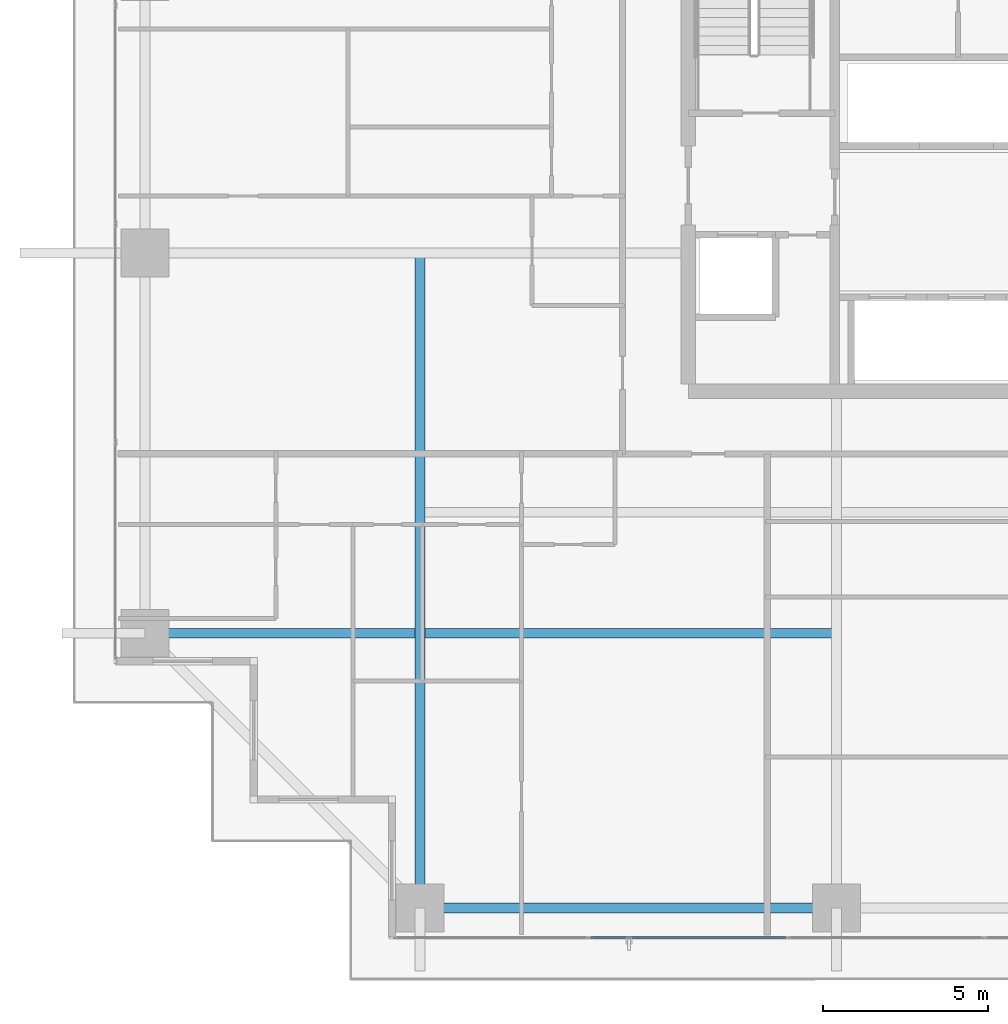
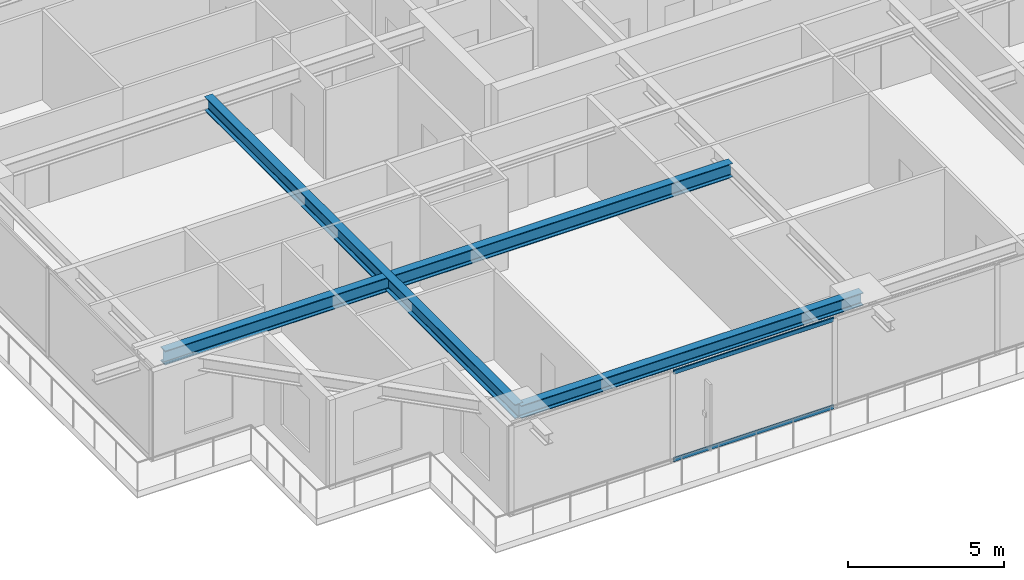
# One storey, part 4 of 38: 3 beams, 2 members, 1 element without a shape of its own.
"""IFC4 building model written with IfcOpenShell, lengths in metres."""

from ifc_helpers import new_model, si_unit, direction, frame, origin, origin_2d, place, context, subcontext, project, spatial, hollow_rectangle, i_section, extrude, source, transform, mapped, material, layer, layer_set, material_profile, profile_set, type_object, element, aggregate, save


model = new_model("IFC4")

# Units and contexts
model_context = context("Model", 3, precision=1e-05, world=origin(), true_north=direction((0.0, 1.0)))
body_context = subcontext(model_context, "Body", "Model", "MODEL_VIEW")
ifc_project = project(units=[si_unit("LENGTHUNIT", "METRE"), si_unit("AREAUNIT", "SQUARE_METRE"), si_unit("VOLUMEUNIT", "CUBIC_METRE"), si_unit("PLANEANGLEUNIT", "RADIAN"), si_unit("MASSUNIT", "GRAM", prefix="KILO")], contexts=[model_context])

# Site, building, storey
site_placement = place(None, origin())
site = spatial("IfcSite", under=ifc_project, at=site_placement, CompositionType="ELEMENT")
building_placement = place(site_placement, origin())
building = spatial("IfcBuilding", under=site, at=building_placement, Name="Serunith Strait Residences", CompositionType="ELEMENT")
storey_placement = place(building_placement, frame((0.0, 0.0, 52.949951171875)))
storey = spatial("IfcBuildingStorey", under=building, at=storey_placement, Name="L12", CompositionType="ELEMENT", Elevation=52.949951171875)

# Beams
ifc_material_1 = material(Name="Steel S355J2", Category="steel")
ifc_material_profile_1 = material_profile(ifc_material_1, i_section(OverallWidth=0.300048828125, OverallDepth=0.550048828125, WebThickness=0.014892578125, FlangeThickness=0.029052734375, FilletRadius=0.027099609375, at=origin_2d()), Name="HEB 550")
ifc_profile_set_1 = profile_set([ifc_material_profile_1], Name="Steel S355J2")
beam_type_1 = type_object("IfcBeamType", Name="BM-HEB550", PredefinedType="BEAM", material=ifc_profile_set_1)
shared_shape_1 = source(origin(), body_context, "Body", "SweptSolid", [
    extrude(i_section(OverallWidth=0.300048828125, OverallDepth=0.550048828125, WebThickness=0.014892578125, FlangeThickness=0.029052734375, FilletRadius=0.027099609375, at=origin_2d()), origin(), (0.0, 0.0, 1.0), 19.89990234375),
])
beam_1_placement = place(storey_placement, frame((15.25, 21.0, 3.212158203125), z_axis=(0.0, -1.0, 0.0), x_axis=(1.0, 0.0, 0.0)))
element("IfcBeam", 1, at=beam_1_placement, inside=storey, type_object=beam_type_1, Name="L12 Orthogonal Corner Girder TC-S1", PredefinedType="BEAM", context=body_context, shape_type="MappedRepresentation", body=[
    mapped(shared_shape_1, transform((0.0, 0.0, 0.0), scale=1.0)),
])
shared_shape_2 = source(origin(), body_context, "Body", "SweptSolid", [
    extrude(i_section(OverallWidth=0.300048828125, OverallDepth=0.550048828125, WebThickness=0.014892578125, FlangeThickness=0.029052734375, FilletRadius=0.027099609375, at=origin_2d()), origin(), (0.0, 0.0, 1.0), 21.0),
])
beam_2_placement = place(storey_placement, frame((27.89990234375, 9.449951171875, 3.212158203125), z_axis=(-1.0, 0.0, 0.0), x_axis=(0.0, -1.0, 0.0)))
element("IfcBeam", 2, at=beam_2_placement, inside=storey, type_object=beam_type_1, Name="L12 Orthogonal Corner Girder TC-W1", PredefinedType="BEAM", context=body_context, shape_type="MappedRepresentation", body=[
    mapped(shared_shape_2, transform((0.0, 0.0, 0.0), scale=1.0)),
])
ifc_material_profile_2 = material_profile(ifc_material_1, i_section(OverallWidth=0.300048828125, OverallDepth=0.5, WebThickness=0.014404296875, FlangeThickness=0.028076171875, FilletRadius=0.027099609375, at=origin_2d()), Name="HEB 500")
ifc_profile_set_2 = profile_set([ifc_material_profile_2], Name="Steel S355J2")
beam_type_2 = type_object("IfcBeamType", Name="BM-HEB500", PredefinedType="BEAM", material=ifc_profile_set_2)
shared_shape_3 = source(origin(), body_context, "Body", "SweptSolid", [
    extrude(i_section(OverallWidth=0.300048828125, OverallDepth=0.5, WebThickness=0.014404296875, FlangeThickness=0.028076171875, FilletRadius=0.027099609375, at=origin_2d()), origin(), (0.0, 0.0, 1.0), 12.64990234375),
])
beam_3_placement = place(storey_placement, frame((15.25, 1.10009765625, 3.237060546875), z_axis=(1.0, 0.0, 0.0), x_axis=(0.0, 1.0, 0.0)))
element("IfcBeam", 3, at=beam_3_placement, inside=storey, type_object=beam_type_2, Name="L12 Perimeter Ring Beam 01", PredefinedType="BEAM", context=body_context, shape_type="MappedRepresentation", body=[
    mapped(shared_shape_3, transform((0.0, 0.0, 0.0), scale=1.0)),
])

# Curtain wall, members
ifc_material_2 = material(Name="Pale-Champagne Anodised Aluminium", Category="aluminium")
ifc_layer = layer(ifc_material_2, 0.199951171875, Name="Pale-Champagne Anodised Aluminium")
ifc_layer_set = layer_set([ifc_layer], Name="Pale-Champagne Anodised Aluminium")
curtain_wall_type = type_object("IfcCurtainWallType", Name="CW-SYS1", PredefinedType="NOTDEFINED", material=ifc_layer_set)
curtain_wall_placement = place(storey_placement, origin())
curtain_wall = element("IfcCurtainWall", 4, at=curtain_wall_placement, inside=storey, type_object=curtain_wall_type, Name="L12 S Unitised Fritted Curtain Wall", PredefinedType="NOTDEFINED")
ifc_material_profile_3 = material_profile(ifc_material_2, hollow_rectangle(XDim=0.06005859375, YDim=0.159912109375, WallThickness=0.00341796875, InnerFilletRadius=0.00537109375, OuterFilletRadius=0.0087890625, at=origin_2d()), Name="ALU 160x60x3.5")
ifc_profile_set_3 = profile_set([ifc_material_profile_3], Name="Pale-Champagne Anodised Aluminium")
member_type = type_object("IfcMemberType", Name="CW-SYS1-TRAN", PredefinedType="USERDEFINED", material=ifc_profile_set_3)
shared_shape_4 = source(origin(), body_context, "Body", "SweptSolid", [
    extrude(hollow_rectangle(XDim=0.06005859375, YDim=0.159912109375, WallThickness=0.00341796875, InnerFilletRadius=0.00537109375, OuterFilletRadius=0.0087890625, at=origin_2d()), origin(), (0.0, 0.0, 1.0), 5.929931640625),
])
member_1_placement = place(storey_placement, frame((20.43505859375, 0.199951171875, 0.030029296875), z_axis=(1.0, 0.0, 0.0), x_axis=(0.0, 1.0, 0.0)))
member_1 = element("IfcMember", 5, at=member_1_placement, type_object=member_type, Name="CW-1 transom 2.1", ObjectType="TRANSOM", PredefinedType="USERDEFINED", context=body_context, shape_type="MappedRepresentation", body=[
    mapped(shared_shape_4, transform((0.0, 0.0, 0.0), scale=1.0)),
])
member_2_placement = place(storey_placement, frame((20.43505859375, 0.199951171875, 3.445068359375), z_axis=(1.0, 0.0, 0.0), x_axis=(0.0, 1.0, 0.0)))
member_2 = element("IfcMember", 6, at=member_2_placement, type_object=member_type, Name="CW-1 transom 2.2", ObjectType="TRANSOM", PredefinedType="USERDEFINED", context=body_context, shape_type="MappedRepresentation", body=[
    mapped(shared_shape_4, transform((0.0, 0.0, 0.0), scale=1.0)),
])
aggregate(curtain_wall, [member_1, member_2])

save(model, "model.ifc")
